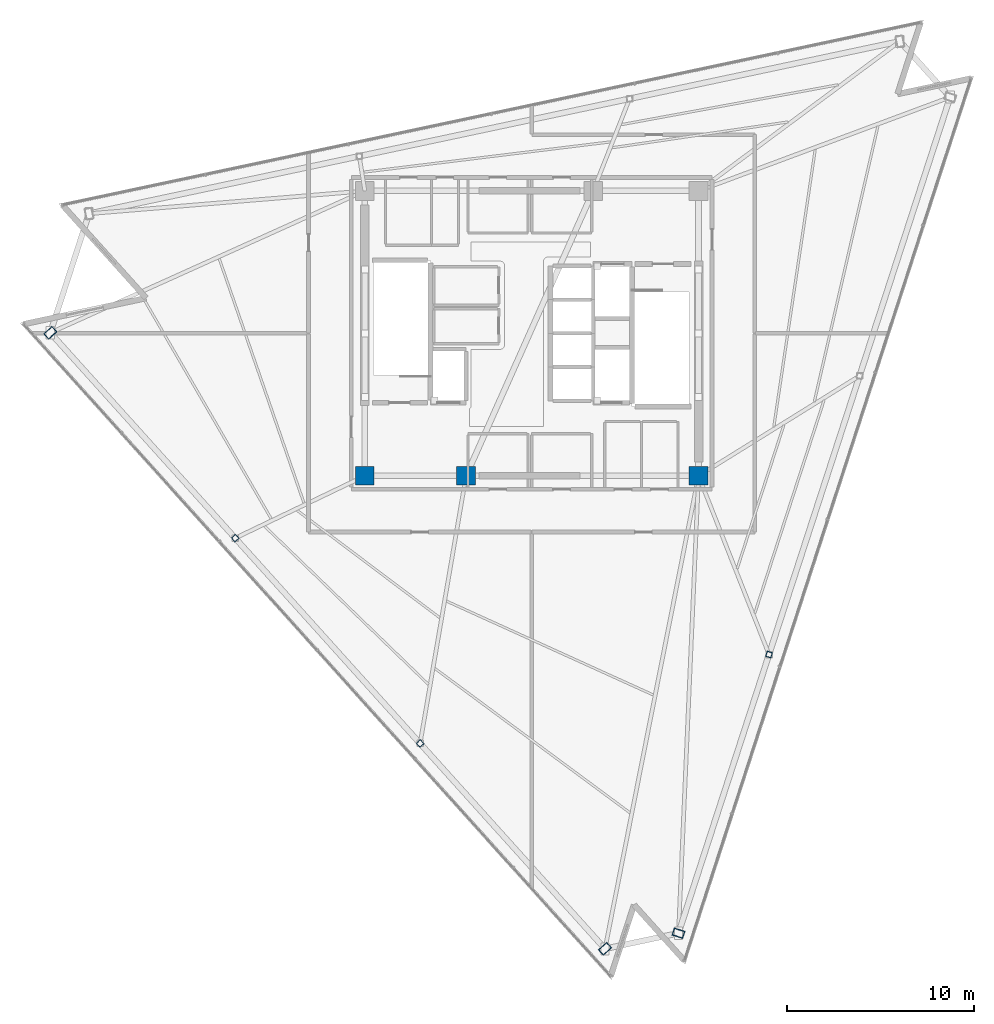
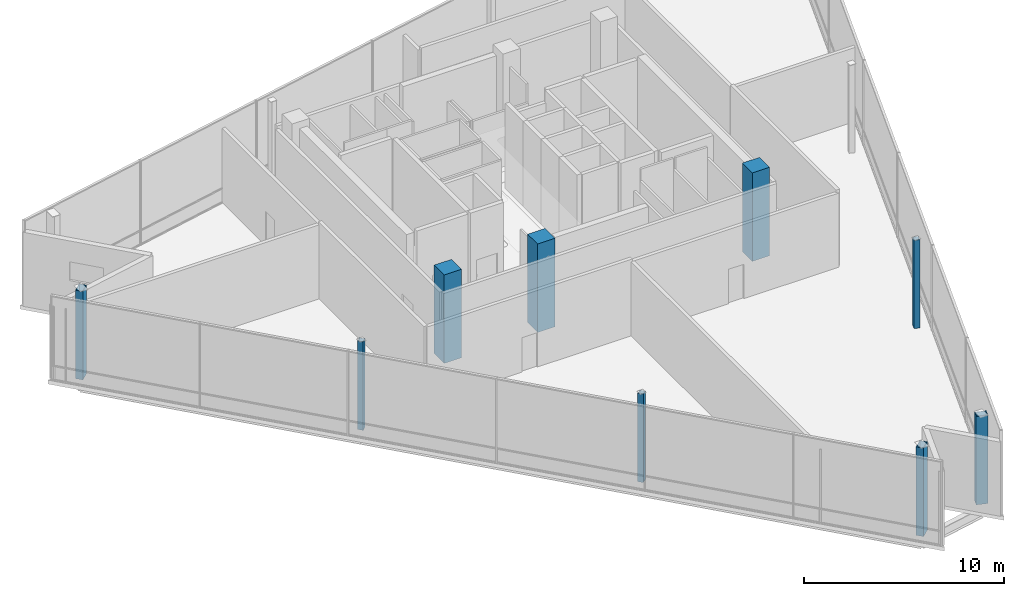
# One storey, part 1 of 14: 9 columns.
"""IFC4 building model written with IfcOpenShell, lengths in metres."""

from ifc_helpers import new_model, si_unit, direction, frame, origin, origin_2d, place, context, subcontext, project, spatial, rectangle, hollow_rectangle, extrude, material, material_profile, profile_set, type_object, element, save


model = new_model("IFC4")

# Units and contexts
model_context = context("Model", 3, precision=1e-05, world=origin(), true_north=direction((0.0, 1.0)))
body_context = subcontext(model_context, "Body", "Model", "MODEL_VIEW")
ifc_project = project(units=[si_unit("LENGTHUNIT", "METRE"), si_unit("AREAUNIT", "SQUARE_METRE"), si_unit("VOLUMEUNIT", "CUBIC_METRE"), si_unit("PLANEANGLEUNIT", "RADIAN"), si_unit("MASSUNIT", "GRAM", prefix="KILO")], contexts=[model_context])

# Site, building, storey
site_placement = place(None, origin())
site = spatial("IfcSite", under=ifc_project, at=site_placement, CompositionType="ELEMENT")
building_placement = place(site_placement, origin())
building = spatial("IfcBuilding", under=site, at=building_placement, Name="Tharavind Bronze Gate", CompositionType="ELEMENT")
storey_placement = place(building_placement, frame((0.0, 0.0, 310.85009765625)))
storey = spatial("IfcBuildingStorey", under=building, at=storey_placement, Name="L80", CompositionType="ELEMENT", Elevation=310.85009765625)

# Columns
ifc_material_1 = material(Name="Steel S460", Category="steel")
ifc_material_profile_1 = material_profile(ifc_material_1, hollow_rectangle(XDim=0.39990234375, YDim=0.60009765625, WallThickness=0.030029296875, at=origin_2d()), Name="RHS600X400X30")
ifc_profile_set_1 = profile_set([ifc_material_profile_1], Name="Steel S460")
column_type_1 = type_object("IfcColumnType", Name="CORNER NOTCH COLUMN RHS600X400", PredefinedType="COLUMN", material=ifc_profile_set_1)
for number, where, z_axis, x_axis, name in (
    (1, (-25.6787109375, 0.03173828125, 0.0), (0.0, 0.0, 1.0), (-0.669130606359, 0.743144825477, 0.0), "L80 perimeter column S1C1"),
    (2, (3.908935546875, -32.82861328125, 0.0), (0.0, 0.0, 1.0), (-0.669130606359, 0.743144825477, 0.0), "L80 perimeter column S1C4"),
    (3, (7.829345703125, -31.99560546875, 0.0), (0.0, 0.0, 1.0), (0.309018654281, 0.951055976957, 0.0), "L80 perimeter column S2C1"),
):
    element("IfcColumn", number, at=place(storey_placement, frame(where, z_axis=z_axis, x_axis=x_axis)), inside=storey, type_object=column_type_1, Name=name, PredefinedType="COLUMN", context=body_context, shape_type="SweptSolid", body=[
        extrude(hollow_rectangle(XDim=0.39990234375, YDim=0.60009765625, WallThickness=0.030029296875, at=origin_2d()), origin(), (0.0, 0.0, 1.0), 5.39990234375),
    ])
ifc_material_2 = material(Name="Concrete C50/60", Category="concrete")
ifc_material_profile_2 = material_profile(ifc_material_2, rectangle(XDim=1.0, YDim=1.0, at=origin_2d()), Name="RCCOL1000")
ifc_profile_set_2 = profile_set([ifc_material_profile_2], Name="Concrete C50/60")
column_type_2 = type_object("IfcColumnType", Name="MEGA CORE COLUMN 1000", PredefinedType="COLUMN", material=ifc_profile_set_2)
for number, where, z_axis, x_axis, name in (
    (4, (-8.89990234375, -7.60009765625, 0.0), (0.0, 0.0, 1.0), (1.0, 0.0, 0.0), "L80 core mega column MC1"),
    (5, (-3.5, -7.60009765625, 0.0), (0.0, 0.0, 1.0), (1.0, 0.0, 0.0), "L80 core mega column MC2"),
    (6, (8.89990234375, -7.60009765625, 0.0), (0.0, 0.0, 1.0), (1.0, 0.0, 0.0), "L80 core mega column MC3"),
):
    element("IfcColumn", number, at=place(storey_placement, frame(where, z_axis=z_axis, x_axis=x_axis)), inside=storey, type_object=column_type_2, Name=name, PredefinedType="COLUMN", context=body_context, shape_type="SweptSolid", body=[
        extrude(rectangle(XDim=1.0, YDim=1.0, at=origin_2d()), origin(), (0.0, 0.0, 1.0), 5.39990234375),
    ])
ifc_material_profile_3 = material_profile(ifc_material_1, hollow_rectangle(XDim=0.300048828125, YDim=0.300048828125, WallThickness=0.02001953125, at=origin_2d()), Name="SHS300X20")
ifc_profile_set_3 = profile_set([ifc_material_profile_3], Name="Steel S460")
column_type_3 = type_object("IfcColumnType", Name="PERIMETER BOX COLUMN SHS300", PredefinedType="COLUMN", material=ifc_profile_set_3)
for number, where, z_axis, x_axis, name in (
    (7, (-15.816162109375, -10.921875, 0.0), (0.0, 0.0, 1.0), (-0.669130606359, 0.743144825477, 0.0), "L80 perimeter column S1C2"),
    (8, (-5.95361328125, -21.875244140625, 0.0), (0.0, 0.0, 1.0), (-0.669130606359, 0.743144825477, 0.0), "L80 perimeter column S1C3"),
    (9, (12.6591796875, -17.130615234375, 0.0), (0.0, 0.0, 1.0), (0.309018654281, 0.951055976957, 0.0), "L80 perimeter column S2C2"),
):
    element("IfcColumn", number, at=place(storey_placement, frame(where, z_axis=z_axis, x_axis=x_axis)), inside=storey, type_object=column_type_3, Name=name, PredefinedType="COLUMN", context=body_context, shape_type="SweptSolid", body=[
        extrude(hollow_rectangle(XDim=0.300048828125, YDim=0.300048828125, WallThickness=0.02001953125, at=origin_2d()), origin(), (0.0, 0.0, 1.0), 5.39990234375),
    ])

save(model, "model.ifc")
